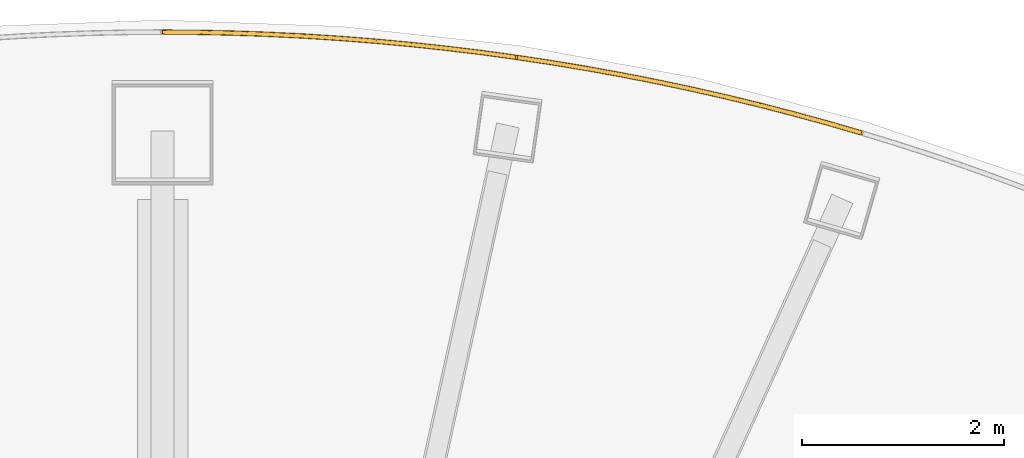
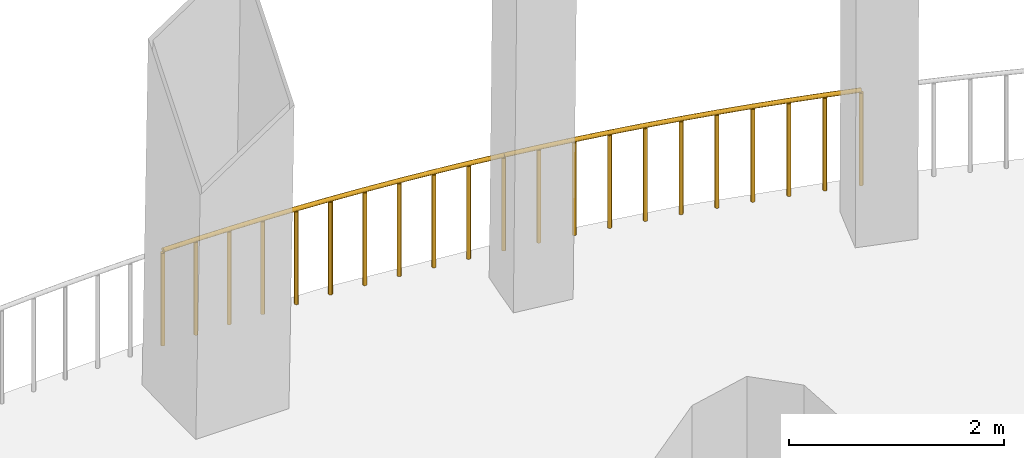
# One storey, part 11 of 12: 2 railings.
"""IFC4 building model written with IfcOpenShell, lengths in metres."""

from ifc_helpers import new_model, si_unit, direction, frame, origin, origin_2d, place, context, subcontext, project, spatial, circle, extrude, material, type_object, element, save


model = new_model("IFC4")

# Units and contexts
model_context = context("Model", 3, precision=1e-05, world=origin(), true_north=direction((0.0, 1.0)))
body_context = subcontext(model_context, "Body", "Model", "MODEL_VIEW")
ifc_project = project(units=[si_unit("LENGTHUNIT", "METRE"), si_unit("AREAUNIT", "SQUARE_METRE"), si_unit("VOLUMEUNIT", "CUBIC_METRE"), si_unit("PLANEANGLEUNIT", "RADIAN"), si_unit("MASSUNIT", "GRAM", prefix="KILO")], contexts=[model_context])

# Site, building, storey
site_placement = place(None, origin())
site = spatial("IfcSite", under=ifc_project, at=site_placement, CompositionType="ELEMENT")
building_placement = place(site_placement, origin())
building = spatial("IfcBuilding", under=site, at=building_placement, Name="Siaravel Broadcast Tower", CompositionType="ELEMENT")
storey_placement = place(building_placement, frame((0.0, 0.0, 265.199951171875)))
storey = spatial("IfcBuildingStorey", under=building, at=storey_placement, Name="L65", CompositionType="ELEMENT", Elevation=265.199951171875)

# Railings
ifc_material = material(Name="Steel S355", Category="steel")
railing_type = type_object("IfcRailingType", Name="Guard 1100", PredefinedType="GUARDRAIL", material=ifc_material)
railing_1_placement = place(storey_placement, frame((6.923583984375, 15.561279296875, 0.0)))
element("IfcRailing", 1, at=railing_1_placement, inside=storey, type_object=railing_type, Name="L65 turbine slot guard 08", PredefinedType="GUARDRAIL", context=body_context, shape_type="SweptSolid", body=[
    extrude(circle(Radius=0.02392578125, at=origin_2d()), frame((0.0, 0.0, 1.076171875), z_axis=(-0.960534561, 0.278160668, 0.0), x_axis=(-0.278160668, -0.960534561, 0.0)), (0.0, 0.0, 1.0), 0.3466796875),
    extrude(circle(Radius=0.02392578125, at=origin_2d()), frame((-0.3330078125, 0.096435546875, 1.076171875), z_axis=(-0.964438652, 0.264306803, 0.0), x_axis=(-0.264306803, -0.964438652, 0.0)), (0.0, 0.0, 1.0), 0.347412109375),
    extrude(circle(Radius=0.02392578125, at=origin_2d()), frame((-0.66796875, 0.188232421875, 1.076171875), z_axis=(-0.968299226, 0.249793134, 0.0), x_axis=(-0.249793134, -0.968299226, 0.0)), (0.0, 0.0, 1.0), 0.347900390625),
    extrude(circle(Radius=0.02392578125, at=origin_2d()), frame((-1.0048828125, 0.275146484375, 1.076171875), z_axis=(-0.971927789, 0.23527935, 0.0), x_axis=(-0.23527935, -0.971927789, 0.0)), (0.0, 0.0, 1.0), 0.3486328125),
    extrude(circle(Radius=0.02392578125, at=origin_2d()), frame((-1.34375, 0.357177734375, 1.076171875), z_axis=(-0.975256407, 0.221076775, 0.0), x_axis=(-0.221076775, -0.975256407, 0.0)), (0.0, 0.0, 1.0), 0.348876953125),
    extrude(circle(Radius=0.02392578125, at=origin_2d()), frame((-1.68408203125, 0.434326171875, 1.076171875), z_axis=(-0.978289888, 0.207241153, 0.0), x_axis=(-0.207241153, -0.978289888, 0.0)), (0.0, 0.0, 1.0), 0.349853515625),
    extrude(circle(Radius=0.02392578125, at=origin_2d()), frame((-2.0263671875, 0.5068359375, 1.076171875), z_axis=(-0.981298254, 0.192493474, 0.0), x_axis=(-0.192493474, -0.981298254, 0.0)), (0.0, 0.0, 1.0), 0.35009765625),
    extrude(circle(Radius=0.02392578125, at=origin_2d()), frame((-2.369873046875, 0.57421875, 1.076171875), z_axis=(-0.983958985, 0.17839483, 0.0), x_axis=(-0.17839483, -0.983958985, 0.0)), (0.0, 0.0, 1.0), 0.350341796875),
    extrude(circle(Radius=0.02392578125, at=origin_2d()), frame((-2.714599609375, 0.63671875, 1.076171875), z_axis=(-0.986450231, 0.164060785, 0.0), x_axis=(-0.164060785, -0.986450231, 0.0)), (0.0, 0.0, 1.0), 0.35107421875),
    extrude(circle(Radius=0.02392578125, at=origin_2d()), frame((-3.06103515625, 0.6943359375, 1.076171875), z_axis=(-0.988674929, 0.150072934, 0.0), x_axis=(-0.150072934, -0.988674929, 0.0)), (0.0, 0.0, 1.0), 0.351318359375),
    extrude(circle(Radius=0.02099609375, at=origin_2d()), origin(), (0.0, 0.0, 1.0), 1.052001953125),
    extrude(circle(Radius=0.02099609375, at=origin_2d()), frame((-0.3330078125, 0.096435546875, 0.0)), (0.0, 0.0, 1.0), 1.052001953125),
    extrude(circle(Radius=0.02099609375, at=origin_2d()), frame((-0.66796875, 0.188232421875, 0.0)), (0.0, 0.0, 1.0), 1.052001953125),
    extrude(circle(Radius=0.02099609375, at=origin_2d()), frame((-1.0048828125, 0.275146484375, 0.0)), (0.0, 0.0, 1.0), 1.052001953125),
    extrude(circle(Radius=0.02099609375, at=origin_2d()), frame((-1.34375, 0.357177734375, 0.0)), (0.0, 0.0, 1.0), 1.052001953125),
    extrude(circle(Radius=0.02099609375, at=origin_2d()), frame((-1.68408203125, 0.434326171875, 0.0)), (0.0, 0.0, 1.0), 1.052001953125),
    extrude(circle(Radius=0.02099609375, at=origin_2d()), frame((-2.0263671875, 0.5068359375, 0.0)), (0.0, 0.0, 1.0), 1.052001953125),
    extrude(circle(Radius=0.02099609375, at=origin_2d()), frame((-2.369873046875, 0.57421875, 0.0)), (0.0, 0.0, 1.0), 1.052001953125),
    extrude(circle(Radius=0.02099609375, at=origin_2d()), frame((-2.714599609375, 0.63671875, 0.0)), (0.0, 0.0, 1.0), 1.052001953125),
    extrude(circle(Radius=0.02099609375, at=origin_2d()), frame((-3.06103515625, 0.6943359375, 0.0)), (0.0, 0.0, 1.0), 1.052001953125),
    extrude(circle(Radius=0.02099609375, at=origin_2d()), frame((-3.408447265625, 0.7470703125, 0.0)), (0.0, 0.0, 1.0), 1.052001953125),
])
railing_2_placement = place(storey_placement, frame((3.51513671875, 16.308349609375, 0.0)))
element("IfcRailing", 2, at=railing_2_placement, inside=storey, type_object=railing_type, Name="L65 turbine slot guard 09", PredefinedType="GUARDRAIL", context=body_context, shape_type="SweptSolid", body=[
    extrude(circle(Radius=0.02392578125, at=origin_2d()), frame((0.0, 0.0, 1.076171875), z_axis=(-0.990698738, 0.136073548, 0.0), x_axis=(-0.136073548, -0.990698738, 0.0)), (0.0, 0.0, 1.0), 0.3515625),
    extrude(circle(Radius=0.02392578125, at=origin_2d()), frame((-0.348388671875, 0.0478515625, 1.076171875), z_axis=(-0.992688511, 0.120704263, 0.0), x_axis=(-0.120704263, -0.992688511, 0.0)), (0.0, 0.0, 1.0), 0.35205078125),
    extrude(circle(Radius=0.02392578125, at=origin_2d()), frame((-0.69775390625, 0.09033203125, 1.076171875), z_axis=(-0.994217048, 0.107389298, 0.0), x_axis=(-0.107389298, -0.994217048, 0.0)), (0.0, 0.0, 1.0), 0.352294921875),
    extrude(circle(Radius=0.02392578125, at=origin_2d()), frame((-1.048095703125, 0.128173828125, 1.076171875), z_axis=(-0.995686353, 0.092783012, 0.0), x_axis=(-0.092783012, -0.995686353, 0.0)), (0.0, 0.0, 1.0), 0.3525390625),
    extrude(circle(Radius=0.02392578125, at=origin_2d()), frame((-1.399169921875, 0.160888671875, 1.076171875), z_axis=(-0.996880973, 0.078919744, 0.0), x_axis=(-0.078919744, -0.996880973, 0.0)), (0.0, 0.0, 1.0), 0.352783203125),
    extrude(circle(Radius=0.02392578125, at=origin_2d()), frame((-1.750732421875, 0.188720703125, 1.076171875), z_axis=(-0.997929607, 0.06431563, 0.0), x_axis=(-0.06431563, -0.997929607, 0.0)), (0.0, 0.0, 1.0), 0.35302734375),
    extrude(circle(Radius=0.02392578125, at=origin_2d()), frame((-2.10302734375, 0.21142578125, 1.076171875), z_axis=(-0.998759229, 0.049799629, 0.0), x_axis=(-0.049799629, -0.998759229, 0.0)), (0.0, 0.0, 1.0), 0.35302734375),
    extrude(circle(Radius=0.02392578125, at=origin_2d()), frame((-2.45556640625, 0.22900390625, 1.076171875), z_axis=(-0.999378603, 0.035247793, 0.0), x_axis=(-0.035247793, -0.999378603, 0.0)), (0.0, 0.0, 1.0), 0.353271484375),
    extrude(circle(Radius=0.02392578125, at=origin_2d()), frame((-2.80859375, 0.241455078125, 1.076171875), z_axis=(-0.999755559, 0.022109314, 0.0), x_axis=(-0.022109314, -0.999755559, 0.0)), (0.0, 0.0, 1.0), 0.353271484375),
    extrude(circle(Radius=0.02392578125, at=origin_2d()), frame((-3.161865234375, 0.249267578125, 1.076171875), z_axis=(-0.999976121, 0.006910685, 0.0), x_axis=(-0.006910685, -0.999976121, 0.0)), (0.0, 0.0, 1.0), 0.353271484375),
    extrude(circle(Radius=0.02099609375, at=origin_2d()), origin(), (0.0, 0.0, 1.0), 1.052001953125),
    extrude(circle(Radius=0.02099609375, at=origin_2d()), frame((-0.348388671875, 0.0478515625, 0.0)), (0.0, 0.0, 1.0), 1.052001953125),
    extrude(circle(Radius=0.02099609375, at=origin_2d()), frame((-0.69775390625, 0.09033203125, 0.0)), (0.0, 0.0, 1.0), 1.052001953125),
    extrude(circle(Radius=0.02099609375, at=origin_2d()), frame((-1.048095703125, 0.128173828125, 0.0)), (0.0, 0.0, 1.0), 1.052001953125),
    extrude(circle(Radius=0.02099609375, at=origin_2d()), frame((-1.399169921875, 0.160888671875, 0.0)), (0.0, 0.0, 1.0), 1.052001953125),
    extrude(circle(Radius=0.02099609375, at=origin_2d()), frame((-1.750732421875, 0.188720703125, 0.0)), (0.0, 0.0, 1.0), 1.052001953125),
    extrude(circle(Radius=0.02099609375, at=origin_2d()), frame((-2.10302734375, 0.21142578125, 0.0)), (0.0, 0.0, 1.0), 1.052001953125),
    extrude(circle(Radius=0.02099609375, at=origin_2d()), frame((-2.45556640625, 0.22900390625, 0.0)), (0.0, 0.0, 1.0), 1.052001953125),
    extrude(circle(Radius=0.02099609375, at=origin_2d()), frame((-2.80859375, 0.241455078125, 0.0)), (0.0, 0.0, 1.0), 1.052001953125),
    extrude(circle(Radius=0.02099609375, at=origin_2d()), frame((-3.161865234375, 0.249267578125, 0.0)), (0.0, 0.0, 1.0), 1.052001953125),
    extrude(circle(Radius=0.02099609375, at=origin_2d()), frame((-3.51513671875, 0.251708984375, 0.0)), (0.0, 0.0, 1.0), 1.052001953125),
])

save(model, "model.ifc")
